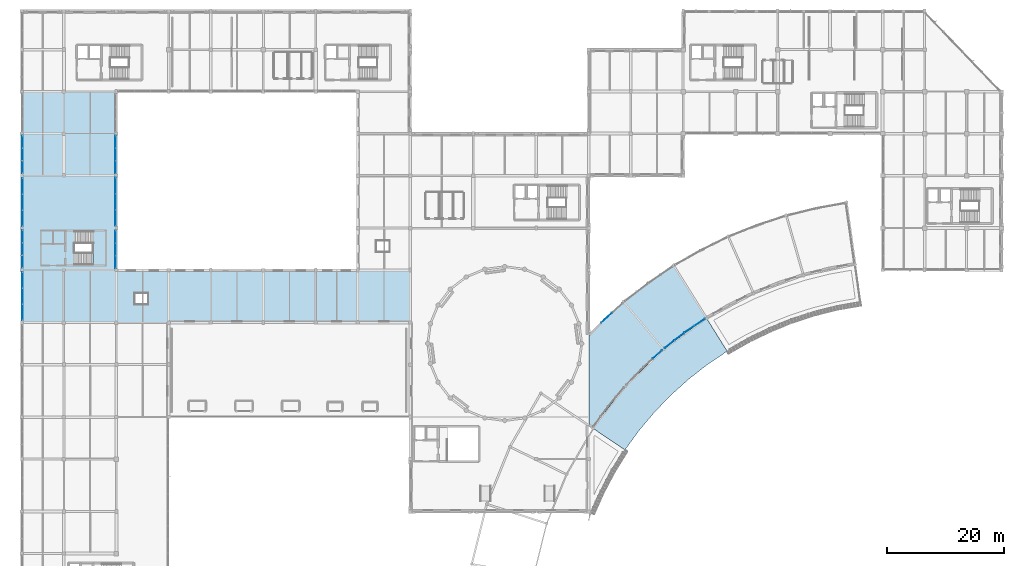
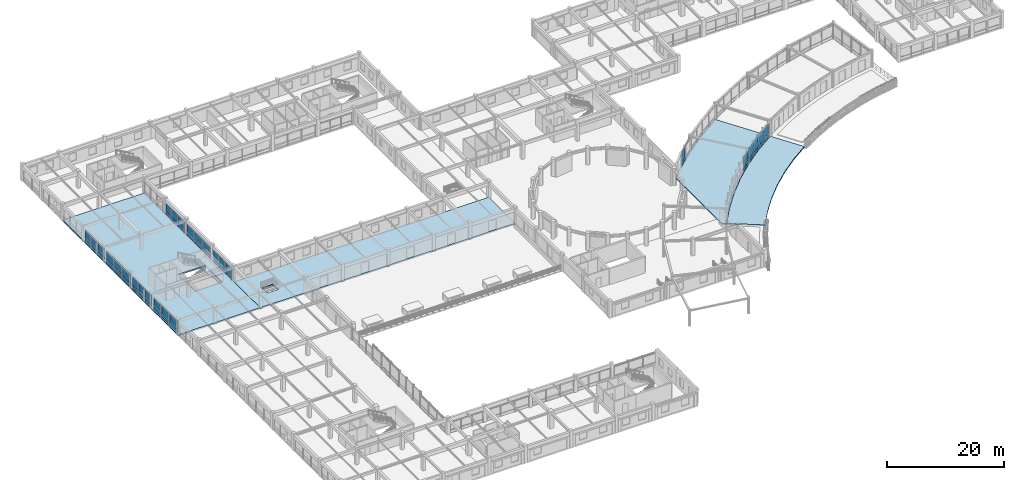
# One storey, part 44 of 74: 54 plates, 5 slabs, 12 elements without a shape of their own.
"""IFC4 building model written with IfcOpenShell, lengths in metres."""

from ifc_helpers import new_model, si_unit, direction, frame, frame_2d, origin, place, context, subcontext, project, spatial, polyline, rectangle, outline, extrude, material, layer, layer_set, type_object, element, aggregate, save


model = new_model("IFC4")

# Units and contexts
model_context = context("Model", 3, precision=1e-05, world=origin(), true_north=direction((0.0, 1.0)))
body_context = subcontext(model_context, "Body", "Model", "MODEL_VIEW")
ifc_project = project(units=[si_unit("LENGTHUNIT", "METRE"), si_unit("AREAUNIT", "SQUARE_METRE"), si_unit("VOLUMEUNIT", "CUBIC_METRE"), si_unit("PLANEANGLEUNIT", "RADIAN"), si_unit("MASSUNIT", "GRAM", prefix="KILO")], contexts=[model_context])

# Site, building, storey
site_placement = place(None, origin())
site = spatial("IfcSite", under=ifc_project, at=site_placement, CompositionType="ELEMENT")
building_placement = place(site_placement, origin())
building = spatial("IfcBuilding", under=site, at=building_placement, Name="Clarverna Civic Hall", CompositionType="ELEMENT")
storey_placement = place(building_placement, frame((0.0, 0.0, 9.60009765625)))
storey = spatial("IfcBuildingStorey", under=building, at=storey_placement, Name="L02", CompositionType="ELEMENT", Elevation=9.60009765625)

# Curtain wall, plates
ifc_material_1 = material(Name="Anodised Bronze Architectural Aluminium", Category="aluminium")
curtain_wall_type_1 = type_object("IfcCurtainWallType", Name="CW-01", PredefinedType="USERDEFINED", material=ifc_material_1)
curtain_wall_1_placement = place(storey_placement, origin())
curtain_wall_1 = element("IfcCurtainWall", 1, at=curtain_wall_1_placement, inside=storey, type_object=curtain_wall_type_1, Name="CW-01-023", ObjectType="UNITISED CURTAIN WALL", PredefinedType="USERDEFINED")
ifc_material_2 = material(Name="Solar-Control Argon Low-E Double Glazing", Category="glass")
ifc_layer_1 = layer(ifc_material_2, 0.031982421875)
ifc_layer_set_1 = layer_set([ifc_layer_1], Name="Solar-Control Argon Low-E Double Glazing")
plate_type_1 = type_object("IfcPlateType", Name="CWP-01", PredefinedType="CURTAIN_PANEL", material=ifc_layer_set_1)
plate_1_placement = place(storey_placement, frame((0.139892578125, 63.0380859375, 0.764892578125), z_axis=(0.0, 0.0, 1.0), x_axis=(0.0, 1.0, 0.0)))
plate_1 = element("IfcPlate", 2, at=plate_1_placement, type_object=plate_type_1, Name="CWP-01-224", PredefinedType="CURTAIN_PANEL", context=body_context, shape_type="SweptSolid", body=[
    extrude(rectangle(XDim=2.70458984375, YDim=0.031982421875, at=frame_2d((1.352294921875, 0.0))), origin(), (0.0, 0.0, 1.0), 1.764892578125),
])
plate_2_placement = place(storey_placement, frame((0.139892578125, 65.772705078125, 0.764892578125), z_axis=(0.0, 0.0, 1.0), x_axis=(0.0, 1.0, 0.0)))
plate_2 = element("IfcPlate", 3, at=plate_2_placement, type_object=plate_type_1, Name="CWP-01-225", PredefinedType="CURTAIN_PANEL", context=body_context, shape_type="SweptSolid", body=[
    extrude(rectangle(XDim=2.70458984375, YDim=0.031982421875, at=frame_2d((1.352294921875, 0.0))), origin(), (0.0, 0.0, 1.0), 1.764892578125),
])
plate_3_placement = place(storey_placement, frame((0.139892578125, 68.50732421875, 0.764892578125), z_axis=(0.0, 0.0, 1.0), x_axis=(0.0, 1.0, 0.0)))
plate_3 = element("IfcPlate", 4, at=plate_3_placement, type_object=plate_type_1, Name="CWP-01-226", PredefinedType="CURTAIN_PANEL", context=body_context, shape_type="SweptSolid", body=[
    extrude(rectangle(XDim=2.70458984375, YDim=0.031982421875, at=frame_2d((1.352294921875, 0.0))), origin(), (0.0, 0.0, 1.0), 1.764892578125),
])

curtain_wall_2_placement = place(storey_placement, origin())
curtain_wall_2 = element("IfcCurtainWall", 5, at=curtain_wall_2_placement, inside=storey, type_object=curtain_wall_type_1, Name="CW-01-024", ObjectType="UNITISED CURTAIN WALL", PredefinedType="USERDEFINED")
plate_4_placement = place(storey_placement, frame((0.139892578125, 71.988037109375, 0.764892578125), z_axis=(0.0, 0.0, 1.0), x_axis=(0.0, 1.0, 0.0)))
plate_4 = element("IfcPlate", 6, at=plate_4_placement, type_object=plate_type_1, Name="CWP-01-227", PredefinedType="CURTAIN_PANEL", context=body_context, shape_type="SweptSolid", body=[
    extrude(rectangle(XDim=2.129638671875, YDim=0.031982421875, at=frame_2d((1.06494140625, 0.0))), origin(), (0.0, 0.0, 1.0), 1.72509765625),
])
plate_5_placement = place(storey_placement, frame((0.139892578125, 74.147705078125, 0.764892578125), z_axis=(0.0, 0.0, 1.0), x_axis=(0.0, 1.0, 0.0)))
plate_5 = element("IfcPlate", 7, at=plate_5_placement, type_object=plate_type_1, Name="CWP-01-228", PredefinedType="CURTAIN_PANEL", context=body_context, shape_type="SweptSolid", body=[
    extrude(rectangle(XDim=2.129638671875, YDim=0.031982421875, at=frame_2d((1.06494140625, 0.0))), origin(), (0.0, 0.0, 1.0), 1.72509765625),
])
plate_6_placement = place(storey_placement, frame((0.139892578125, 76.307373046875, 0.764892578125), z_axis=(0.0, 0.0, 1.0), x_axis=(0.0, 1.0, 0.0)))
plate_6 = element("IfcPlate", 8, at=plate_6_placement, type_object=plate_type_1, Name="CWP-01-229", PredefinedType="CURTAIN_PANEL", context=body_context, shape_type="SweptSolid", body=[
    extrude(rectangle(XDim=2.129638671875, YDim=0.031982421875, at=frame_2d((1.06494140625, 0.0))), origin(), (0.0, 0.0, 1.0), 1.72509765625),
])

curtain_wall_3_placement = place(storey_placement, origin())
curtain_wall_3 = element("IfcCurtainWall", 9, at=curtain_wall_3_placement, inside=storey, type_object=curtain_wall_type_1, Name="CW-01-025", ObjectType="UNITISED CURTAIN WALL", PredefinedType="USERDEFINED")
plate_7_placement = place(storey_placement, frame((0.139892578125, 79.1630859375, 0.764892578125), z_axis=(0.0, 0.0, 1.0), x_axis=(0.0, 1.0, 0.0)))
plate_7 = element("IfcPlate", 10, at=plate_7_placement, type_object=plate_type_1, Name="CWP-01-230", PredefinedType="CURTAIN_PANEL", context=body_context, shape_type="SweptSolid", body=[
    extrude(rectangle(XDim=2.712890625, YDim=0.031982421875, at=frame_2d((1.3564453125, 0.0))), origin(), (0.0, 0.0, 1.0), 1.72509765625),
])
plate_8_placement = place(storey_placement, frame((0.139892578125, 81.906005859375, 0.764892578125), z_axis=(0.0, 0.0, 1.0), x_axis=(0.0, 1.0, 0.0)))
plate_8 = element("IfcPlate", 11, at=plate_8_placement, type_object=plate_type_1, Name="CWP-01-231", PredefinedType="CURTAIN_PANEL", context=body_context, shape_type="SweptSolid", body=[
    extrude(rectangle(XDim=2.712890625, YDim=0.031982421875, at=frame_2d((1.3564453125, 0.0))), origin(), (0.0, 0.0, 1.0), 1.72509765625),
])
plate_9_placement = place(storey_placement, frame((0.139892578125, 84.64892578125, 0.764892578125), z_axis=(0.0, 0.0, 1.0), x_axis=(0.0, 1.0, 0.0)))
plate_9 = element("IfcPlate", 12, at=plate_9_placement, type_object=plate_type_1, Name="CWP-01-232", PredefinedType="CURTAIN_PANEL", context=body_context, shape_type="SweptSolid", body=[
    extrude(rectangle(XDim=2.713134765625, YDim=0.031982421875, at=frame_2d((1.3564453125, 0.0))), origin(), (0.0, 0.0, 1.0), 1.72509765625),
])

curtain_wall_4_placement = place(storey_placement, origin())
curtain_wall_4 = element("IfcCurtainWall", 13, at=curtain_wall_4_placement, inside=storey, type_object=curtain_wall_type_1, Name="CW-01-026", ObjectType="UNITISED CURTAIN WALL", PredefinedType="USERDEFINED")
plate_10_placement = place(storey_placement, frame((0.139892578125, 88.238037109375, 0.764892578125), z_axis=(0.0, 0.0, 1.0), x_axis=(0.0, 1.0, 0.0)))
plate_10 = element("IfcPlate", 14, at=plate_10_placement, type_object=plate_type_1, Name="CWP-01-233", PredefinedType="CURTAIN_PANEL", context=body_context, shape_type="SweptSolid", body=[
    extrude(rectangle(XDim=2.104736328125, YDim=0.031982421875, at=frame_2d((1.05224609375, 0.0))), origin(), (0.0, 0.0, 1.0), 1.72509765625),
])
plate_11_placement = place(storey_placement, frame((0.139892578125, 90.372802734375, 0.764892578125), z_axis=(0.0, 0.0, 1.0), x_axis=(0.0, 1.0, 0.0)))
plate_11 = element("IfcPlate", 15, at=plate_11_placement, type_object=plate_type_1, Name="CWP-01-234", PredefinedType="CURTAIN_PANEL", context=body_context, shape_type="SweptSolid", body=[
    extrude(rectangle(XDim=2.1044921875, YDim=0.031982421875, at=frame_2d((1.05224609375, 0.0))), origin(), (0.0, 0.0, 1.0), 1.72509765625),
])
plate_12_placement = place(storey_placement, frame((0.139892578125, 92.50732421875, 0.764892578125), z_axis=(0.0, 0.0, 1.0), x_axis=(0.0, 1.0, 0.0)))
plate_12 = element("IfcPlate", 16, at=plate_12_placement, type_object=plate_type_1, Name="CWP-01-235", PredefinedType="CURTAIN_PANEL", context=body_context, shape_type="SweptSolid", body=[
    extrude(rectangle(XDim=2.104736328125, YDim=0.031982421875, at=frame_2d((1.05224609375, 0.0))), origin(), (0.0, 0.0, 1.0), 1.72509765625),
])

# Curtain wall, plate
curtain_wall_type_2 = type_object("IfcCurtainWallType", Name="CW-03", PredefinedType="USERDEFINED", material=ifc_material_1)
curtain_wall_5_placement = place(storey_placement, origin())
curtain_wall_5 = element("IfcCurtainWall", 17, at=curtain_wall_5_placement, inside=storey, type_object=curtain_wall_type_2, Name="CW-03-048", ObjectType="UNITISED CURTAIN WALL", PredefinedType="USERDEFINED")
plate_13_placement = place(storey_placement, frame((99.335205078125, 62.597900390625, 0.764892578125), z_axis=(0.0, 0.0, 1.0), x_axis=(0.743150461757, 0.669124346583, 0.0)))
plate_13 = element("IfcPlate", 18, at=plate_13_placement, type_object=plate_type_1, Name="CWP-01-301", PredefinedType="CURTAIN_PANEL", context=body_context, shape_type="SweptSolid", body=[
    extrude(rectangle(XDim=2.450439453125, YDim=0.031982421875, at=frame_2d((1.22509765625, 0.0))), origin(), (0.0, 0.0, 1.0), 2.155029296875),
])

# Curtain wall, plates
curtain_wall_6_placement = place(storey_placement, origin())
curtain_wall_6 = element("IfcCurtainWall", 19, at=curtain_wall_6_placement, inside=storey, type_object=curtain_wall_type_2, Name="CW-03-059", ObjectType="UNITISED CURTAIN WALL", PredefinedType="USERDEFINED")
plate_14_placement = place(storey_placement, frame((117.119384765625, 63.239013671875, 0.764892578125), z_axis=(0.0, 0.0, 1.0), x_axis=(-0.829083492219, -0.559124818739, 0.0)))
plate_14 = element("IfcPlate", 20, at=plate_14_placement, type_object=plate_type_1, Name="CWP-01-323", PredefinedType="CURTAIN_PANEL", context=body_context, shape_type="SweptSolid", body=[
    extrude(rectangle(XDim=2.08447265625, YDim=0.031982421875, at=frame_2d((1.042236328125, 0.0))), origin(), (0.0, 0.0, 1.0), 2.175048828125),
])
plate_15_placement = place(storey_placement, frame((115.3662109375, 62.056640625, 0.764892578125), z_axis=(0.0, 0.0, 1.0), x_axis=(-0.829029200172, -0.559205315839, 0.0)))
plate_15 = element("IfcPlate", 21, at=plate_15_placement, type_object=plate_type_1, Name="CWP-01-324", PredefinedType="CURTAIN_PANEL", context=body_context, shape_type="SweptSolid", body=[
    extrude(rectangle(XDim=2.084716796875, YDim=0.031982421875, at=frame_2d((1.04248046875, 0.0))), origin(), (0.0, 0.0, 1.0), 2.175048828125),
])

curtain_wall_7_placement = place(storey_placement, origin())
curtain_wall_7 = element("IfcCurtainWall", 22, at=curtain_wall_7_placement, inside=storey, type_object=curtain_wall_type_2, Name="CW-03-060", ObjectType="UNITISED CURTAIN WALL", PredefinedType="USERDEFINED")
plate_16_placement = place(storey_placement, frame((113.552490234375, 60.82861328125, 0.764892578125), z_axis=(0.0, 0.0, 1.0), x_axis=(-0.788065564503, -0.61559131414, 0.0)))
plate_16 = element("IfcPlate", 23, at=plate_16_placement, type_object=plate_type_1, Name="CWP-01-325", PredefinedType="CURTAIN_PANEL", context=body_context, shape_type="SweptSolid", body=[
    extrude(rectangle(XDim=2.066650390625, YDim=0.031982421875, at=frame_2d((1.033203125, 0.0))), origin(), (0.0, 0.0, 1.0), 2.175048828125),
])
plate_17_placement = place(storey_placement, frame((111.900390625, 59.537841796875, 0.764892578125), z_axis=(0.0, 0.0, 1.0), x_axis=(-0.788065564503, -0.61559131414, 0.0)))
plate_17 = element("IfcPlate", 24, at=plate_17_placement, type_object=plate_type_1, Name="CWP-01-326", PredefinedType="CURTAIN_PANEL", context=body_context, shape_type="SweptSolid", body=[
    extrude(rectangle(XDim=2.066650390625, YDim=0.031982421875, at=frame_2d((1.033203125, 0.0))), origin(), (0.0, 0.0, 1.0), 2.175048828125),
])

# Curtain wall, plate
curtain_wall_8_placement = place(storey_placement, origin())
curtain_wall_8 = element("IfcCurtainWall", 25, at=curtain_wall_8_placement, inside=storey, type_object=curtain_wall_type_2, Name="CW-03-061", ObjectType="UNITISED CURTAIN WALL", PredefinedType="USERDEFINED")
plate_18_placement = place(storey_placement, frame((109.7646484375, 57.84130859375, 0.764892578125), z_axis=(0.0, 0.0, 1.0), x_axis=(-0.743159927566, -0.669113833409, 0.0)))
plate_18 = element("IfcPlate", 26, at=plate_18_placement, type_object=plate_type_1, Name="CWP-01-327", PredefinedType="CURTAIN_PANEL", context=body_context, shape_type="SweptSolid", body=[
    extrude(rectangle(XDim=2.08056640625, YDim=0.031982421875, at=frame_2d((1.040283203125, 0.0))), origin(), (0.0, 0.0, 1.0), 2.175048828125),
])

# Curtain wall, plates
curtain_wall_type_3 = type_object("IfcCurtainWallType", Name="CW-04", PredefinedType="USERDEFINED", material=ifc_material_1)
curtain_wall_9_placement = place(storey_placement, origin())
curtain_wall_9 = element("IfcCurtainWall", 27, at=curtain_wall_9_placement, inside=storey, type_object=curtain_wall_type_3, Name="CW-04-033", ObjectType="UNITISED CURTAIN WALL", PredefinedType="USERDEFINED")
plate_19_placement = place(storey_placement, frame((16.06005859375, 94.636962890625, 0.764892578125), z_axis=(0.0, 0.0, 1.0), x_axis=(0.0, -1.0, 0.0)))
plate_19 = element("IfcPlate", 28, at=plate_19_placement, type_object=plate_type_1, Name="CWP-01-380", PredefinedType="CURTAIN_PANEL", context=body_context, shape_type="SweptSolid", body=[
    extrude(rectangle(XDim=2.129638671875, YDim=0.031982421875, at=frame_2d((1.06494140625, 0.0))), origin(), (0.0, 0.0, 1.0), 1.72509765625),
])
plate_20_placement = place(storey_placement, frame((16.06005859375, 92.477294921875, 0.764892578125), z_axis=(0.0, 0.0, 1.0), x_axis=(0.0, -1.0, 0.0)))
plate_20 = element("IfcPlate", 29, at=plate_20_placement, type_object=plate_type_1, Name="CWP-01-381", PredefinedType="CURTAIN_PANEL", context=body_context, shape_type="SweptSolid", body=[
    extrude(rectangle(XDim=2.129638671875, YDim=0.031982421875, at=frame_2d((1.06494140625, 0.0))), origin(), (0.0, 0.0, 1.0), 1.72509765625),
])
plate_21_placement = place(storey_placement, frame((16.06005859375, 90.317626953125, 0.764892578125), z_axis=(0.0, 0.0, 1.0), x_axis=(0.0, -1.0, 0.0)))
plate_21 = element("IfcPlate", 30, at=plate_21_placement, type_object=plate_type_1, Name="CWP-01-382", PredefinedType="CURTAIN_PANEL", context=body_context, shape_type="SweptSolid", body=[
    extrude(rectangle(XDim=2.129638671875, YDim=0.031982421875, at=frame_2d((1.06494140625, 0.0))), origin(), (0.0, 0.0, 1.0), 1.72509765625),
])

curtain_wall_10_placement = place(storey_placement, origin())
curtain_wall_10 = element("IfcCurtainWall", 31, at=curtain_wall_10_placement, inside=storey, type_object=curtain_wall_type_3, Name="CW-04-034", ObjectType="UNITISED CURTAIN WALL", PredefinedType="USERDEFINED")
plate_22_placement = place(storey_placement, frame((16.06005859375, 87.412109375, 0.764892578125), z_axis=(0.0, 0.0, 1.0), x_axis=(0.0, -1.0, 0.0)))
plate_22 = element("IfcPlate", 32, at=plate_22_placement, type_object=plate_type_1, Name="CWP-01-383", PredefinedType="CURTAIN_PANEL", context=body_context, shape_type="SweptSolid", body=[
    extrude(rectangle(XDim=2.704833984375, YDim=0.031982421875, at=frame_2d((1.3525390625, 0.0))), origin(), (0.0, 0.0, 1.0), 1.72509765625),
])
plate_23_placement = place(storey_placement, frame((16.06005859375, 84.67724609375, 0.764892578125), z_axis=(0.0, 0.0, 1.0), x_axis=(0.0, -1.0, 0.0)))
plate_23 = element("IfcPlate", 33, at=plate_23_placement, type_object=plate_type_1, Name="CWP-01-384", PredefinedType="CURTAIN_PANEL", context=body_context, shape_type="SweptSolid", body=[
    extrude(rectangle(XDim=2.70458984375, YDim=0.031982421875, at=frame_2d((1.352294921875, 0.0))), origin(), (0.0, 0.0, 1.0), 1.72509765625),
])
plate_24_placement = place(storey_placement, frame((16.06005859375, 81.942626953125, 0.764892578125), z_axis=(0.0, 0.0, 1.0), x_axis=(0.0, -1.0, 0.0)))
plate_24 = element("IfcPlate", 34, at=plate_24_placement, type_object=plate_type_1, Name="CWP-01-385", PredefinedType="CURTAIN_PANEL", context=body_context, shape_type="SweptSolid", body=[
    extrude(rectangle(XDim=2.70458984375, YDim=0.031982421875, at=frame_2d((1.352294921875, 0.0))), origin(), (0.0, 0.0, 1.0), 1.72509765625),
])

curtain_wall_11_placement = place(storey_placement, origin())
curtain_wall_11 = element("IfcCurtainWall", 35, at=curtain_wall_11_placement, inside=storey, type_object=curtain_wall_type_3, Name="CW-04-035", ObjectType="UNITISED CURTAIN WALL", PredefinedType="USERDEFINED")
plate_25_placement = place(storey_placement, frame((16.06005859375, 78.362060546875, 0.764892578125), z_axis=(0.0, 0.0, 1.0), x_axis=(0.0, -1.0, 0.0)))
plate_25 = element("IfcPlate", 36, at=plate_25_placement, type_object=plate_type_1, Name="CWP-01-386", PredefinedType="CURTAIN_PANEL", context=body_context, shape_type="SweptSolid", body=[
    extrude(rectangle(XDim=2.113037109375, YDim=0.031982421875, at=frame_2d((1.056640625, 0.0))), origin(), (0.0, 0.0, 1.0), 1.794921875),
])
plate_26_placement = place(storey_placement, frame((16.06005859375, 76.218994140625, 0.764892578125), z_axis=(0.0, 0.0, 1.0), x_axis=(0.0, -1.0, 0.0)))
plate_26 = element("IfcPlate", 37, at=plate_26_placement, type_object=plate_type_1, Name="CWP-01-387", PredefinedType="CURTAIN_PANEL", context=body_context, shape_type="SweptSolid", body=[
    extrude(rectangle(XDim=2.113037109375, YDim=0.031982421875, at=frame_2d((1.056640625, 0.0))), origin(), (0.0, 0.0, 1.0), 1.794921875),
])
plate_27_placement = place(storey_placement, frame((16.06005859375, 74.075927734375, 0.764892578125), z_axis=(0.0, 0.0, 1.0), x_axis=(0.0, -1.0, 0.0)))
plate_27 = element("IfcPlate", 38, at=plate_27_placement, type_object=plate_type_1, Name="CWP-01-388", PredefinedType="CURTAIN_PANEL", context=body_context, shape_type="SweptSolid", body=[
    extrude(rectangle(XDim=2.113037109375, YDim=0.031982421875, at=frame_2d((1.056640625, 0.0))), origin(), (0.0, 0.0, 1.0), 1.794921875),
])

# Plate
ifc_material_3 = material(Name="Insulated Anodised Bronze Spandrel Panel", Category="aluminium")
ifc_layer_2 = layer(ifc_material_3, 0.048095703125)
ifc_layer_set_2 = layer_set([ifc_layer_2], Name="Insulated Anodised Bronze Spandrel Panel")
plate_type_2 = type_object("IfcPlateType", Name="CWP-03", PredefinedType="CURTAIN_PANEL", material=ifc_layer_set_2)
plate_28_placement = place(storey_placement, frame((0.139892578125, 63.0380859375, 0.10986328125), z_axis=(0.0, 0.0, 1.0), x_axis=(0.0, 1.0, 0.0)))
plate_28 = element("IfcPlate", 39, at=plate_28_placement, type_object=plate_type_2, Name="CWP-03-226", PredefinedType="CURTAIN_PANEL", context=body_context, shape_type="SweptSolid", body=[
    extrude(rectangle(XDim=2.70458984375, YDim=0.048095703125, at=frame_2d((1.352294921875, 0.0))), origin(), (0.0, 0.0, 1.0), 0.625),
])

plate_29_placement = place(storey_placement, frame((0.139892578125, 65.772705078125, 0.10986328125), z_axis=(0.0, 0.0, 1.0), x_axis=(0.0, 1.0, 0.0)))
plate_29 = element("IfcPlate", 40, at=plate_29_placement, type_object=plate_type_2, Name="CWP-03-227", PredefinedType="CURTAIN_PANEL", context=body_context, shape_type="SweptSolid", body=[
    extrude(rectangle(XDim=2.70458984375, YDim=0.048095703125, at=frame_2d((1.352294921875, 0.0))), origin(), (0.0, 0.0, 1.0), 0.625),
])

plate_30_placement = place(storey_placement, frame((0.139892578125, 68.50732421875, 0.10986328125), z_axis=(0.0, 0.0, 1.0), x_axis=(0.0, 1.0, 0.0)))
plate_30 = element("IfcPlate", 41, at=plate_30_placement, type_object=plate_type_2, Name="CWP-03-228", PredefinedType="CURTAIN_PANEL", context=body_context, shape_type="SweptSolid", body=[
    extrude(rectangle(XDim=2.70458984375, YDim=0.048095703125, at=frame_2d((1.352294921875, 0.0))), origin(), (0.0, 0.0, 1.0), 0.625),
])

aggregate(curtain_wall_1, [plate_28, plate_1, plate_29, plate_2, plate_30, plate_3])

plate_31_placement = place(storey_placement, frame((0.139892578125, 71.988037109375, 0.10986328125), z_axis=(0.0, 0.0, 1.0), x_axis=(0.0, 1.0, 0.0)))
plate_31 = element("IfcPlate", 42, at=plate_31_placement, type_object=plate_type_2, Name="CWP-03-229", PredefinedType="CURTAIN_PANEL", context=body_context, shape_type="SweptSolid", body=[
    extrude(rectangle(XDim=2.129638671875, YDim=0.048095703125, at=frame_2d((1.06494140625, 0.0))), origin(), (0.0, 0.0, 1.0), 0.625),
])

plate_32_placement = place(storey_placement, frame((0.139892578125, 74.147705078125, 0.10986328125), z_axis=(0.0, 0.0, 1.0), x_axis=(0.0, 1.0, 0.0)))
plate_32 = element("IfcPlate", 43, at=plate_32_placement, type_object=plate_type_2, Name="CWP-03-230", PredefinedType="CURTAIN_PANEL", context=body_context, shape_type="SweptSolid", body=[
    extrude(rectangle(XDim=2.129638671875, YDim=0.048095703125, at=frame_2d((1.06494140625, 0.0))), origin(), (0.0, 0.0, 1.0), 0.625),
])

plate_33_placement = place(storey_placement, frame((0.139892578125, 76.307373046875, 0.10986328125), z_axis=(0.0, 0.0, 1.0), x_axis=(0.0, 1.0, 0.0)))
plate_33 = element("IfcPlate", 44, at=plate_33_placement, type_object=plate_type_2, Name="CWP-03-231", PredefinedType="CURTAIN_PANEL", context=body_context, shape_type="SweptSolid", body=[
    extrude(rectangle(XDim=2.129638671875, YDim=0.048095703125, at=frame_2d((1.06494140625, 0.0))), origin(), (0.0, 0.0, 1.0), 0.625),
])

aggregate(curtain_wall_2, [plate_31, plate_4, plate_32, plate_5, plate_33, plate_6])

plate_34_placement = place(storey_placement, frame((0.139892578125, 79.1630859375, 0.10986328125), z_axis=(0.0, 0.0, 1.0), x_axis=(0.0, 1.0, 0.0)))
plate_34 = element("IfcPlate", 45, at=plate_34_placement, type_object=plate_type_2, Name="CWP-03-232", PredefinedType="CURTAIN_PANEL", context=body_context, shape_type="SweptSolid", body=[
    extrude(rectangle(XDim=2.712890625, YDim=0.048095703125, at=frame_2d((1.3564453125, 0.0))), origin(), (0.0, 0.0, 1.0), 0.625),
])

plate_35_placement = place(storey_placement, frame((0.139892578125, 81.906005859375, 0.10986328125), z_axis=(0.0, 0.0, 1.0), x_axis=(0.0, 1.0, 0.0)))
plate_35 = element("IfcPlate", 46, at=plate_35_placement, type_object=plate_type_2, Name="CWP-03-233", PredefinedType="CURTAIN_PANEL", context=body_context, shape_type="SweptSolid", body=[
    extrude(rectangle(XDim=2.712890625, YDim=0.048095703125, at=frame_2d((1.3564453125, 0.0))), origin(), (0.0, 0.0, 1.0), 0.625),
])

plate_36_placement = place(storey_placement, frame((0.139892578125, 84.64892578125, 0.10986328125), z_axis=(0.0, 0.0, 1.0), x_axis=(0.0, 1.0, 0.0)))
plate_36 = element("IfcPlate", 47, at=plate_36_placement, type_object=plate_type_2, Name="CWP-03-234", PredefinedType="CURTAIN_PANEL", context=body_context, shape_type="SweptSolid", body=[
    extrude(rectangle(XDim=2.713134765625, YDim=0.048095703125, at=frame_2d((1.3564453125, 0.0))), origin(), (0.0, 0.0, 1.0), 0.625),
])

aggregate(curtain_wall_3, [plate_34, plate_7, plate_35, plate_8, plate_36, plate_9])

plate_37_placement = place(storey_placement, frame((0.139892578125, 88.238037109375, 0.10986328125), z_axis=(0.0, 0.0, 1.0), x_axis=(0.0, 1.0, 0.0)))
plate_37 = element("IfcPlate", 48, at=plate_37_placement, type_object=plate_type_2, Name="CWP-03-235", PredefinedType="CURTAIN_PANEL", context=body_context, shape_type="SweptSolid", body=[
    extrude(rectangle(XDim=2.104736328125, YDim=0.048095703125, at=frame_2d((1.05224609375, 0.0))), origin(), (0.0, 0.0, 1.0), 0.625),
])

plate_38_placement = place(storey_placement, frame((0.139892578125, 90.372802734375, 0.10986328125), z_axis=(0.0, 0.0, 1.0), x_axis=(0.0, 1.0, 0.0)))
plate_38 = element("IfcPlate", 49, at=plate_38_placement, type_object=plate_type_2, Name="CWP-03-236", PredefinedType="CURTAIN_PANEL", context=body_context, shape_type="SweptSolid", body=[
    extrude(rectangle(XDim=2.1044921875, YDim=0.048095703125, at=frame_2d((1.05224609375, 0.0))), origin(), (0.0, 0.0, 1.0), 0.625),
])

plate_39_placement = place(storey_placement, frame((0.139892578125, 92.50732421875, 0.10986328125), z_axis=(0.0, 0.0, 1.0), x_axis=(0.0, 1.0, 0.0)))
plate_39 = element("IfcPlate", 50, at=plate_39_placement, type_object=plate_type_2, Name="CWP-03-237", PredefinedType="CURTAIN_PANEL", context=body_context, shape_type="SweptSolid", body=[
    extrude(rectangle(XDim=2.104736328125, YDim=0.048095703125, at=frame_2d((1.05224609375, 0.0))), origin(), (0.0, 0.0, 1.0), 0.625),
])

aggregate(curtain_wall_4, [plate_37, plate_10, plate_38, plate_11, plate_39, plate_12])

plate_40_placement = place(storey_placement, frame((99.335205078125, 62.597900390625, 0.10986328125), z_axis=(0.0, 0.0, 1.0), x_axis=(0.743150461757, 0.669124346583, 0.0)))
plate_40 = element("IfcPlate", 51, at=plate_40_placement, type_object=plate_type_2, Name="CWP-03-303", PredefinedType="CURTAIN_PANEL", context=body_context, shape_type="SweptSolid", body=[
    extrude(rectangle(XDim=2.450439453125, YDim=0.048095703125, at=frame_2d((1.22509765625, 0.0))), origin(), (0.0, 0.0, 1.0), 0.625),
])

aggregate(curtain_wall_5, [plate_40, plate_13])

plate_41_placement = place(storey_placement, frame((117.119384765625, 63.239013671875, 0.10986328125), z_axis=(0.0, 0.0, 1.0), x_axis=(-0.829083492219, -0.559124818739, 0.0)))
plate_41 = element("IfcPlate", 52, at=plate_41_placement, type_object=plate_type_2, Name="CWP-03-325", PredefinedType="CURTAIN_PANEL", context=body_context, shape_type="SweptSolid", body=[
    extrude(rectangle(XDim=2.08447265625, YDim=0.048095703125, at=frame_2d((1.042236328125, 0.0))), origin(), (0.0, 0.0, 1.0), 0.625),
])

plate_42_placement = place(storey_placement, frame((115.3662109375, 62.056640625, 0.10986328125), z_axis=(0.0, 0.0, 1.0), x_axis=(-0.829029200172, -0.559205315839, 0.0)))
plate_42 = element("IfcPlate", 53, at=plate_42_placement, type_object=plate_type_2, Name="CWP-03-326", PredefinedType="CURTAIN_PANEL", context=body_context, shape_type="SweptSolid", body=[
    extrude(rectangle(XDim=2.084716796875, YDim=0.048095703125, at=frame_2d((1.04248046875, 0.0))), origin(), (0.0, 0.0, 1.0), 0.625),
])

aggregate(curtain_wall_6, [plate_41, plate_14, plate_42, plate_15])

plate_43_placement = place(storey_placement, frame((113.552490234375, 60.82861328125, 0.10986328125), z_axis=(0.0, 0.0, 1.0), x_axis=(-0.788065564503, -0.61559131414, 0.0)))
plate_43 = element("IfcPlate", 54, at=plate_43_placement, type_object=plate_type_2, Name="CWP-03-327", PredefinedType="CURTAIN_PANEL", context=body_context, shape_type="SweptSolid", body=[
    extrude(rectangle(XDim=2.066650390625, YDim=0.048095703125, at=frame_2d((1.033203125, 0.0))), origin(), (0.0, 0.0, 1.0), 0.625),
])

plate_44_placement = place(storey_placement, frame((111.900390625, 59.537841796875, 0.10986328125), z_axis=(0.0, 0.0, 1.0), x_axis=(-0.788065564503, -0.61559131414, 0.0)))
plate_44 = element("IfcPlate", 55, at=plate_44_placement, type_object=plate_type_2, Name="CWP-03-328", PredefinedType="CURTAIN_PANEL", context=body_context, shape_type="SweptSolid", body=[
    extrude(rectangle(XDim=2.066650390625, YDim=0.048095703125, at=frame_2d((1.033203125, 0.0))), origin(), (0.0, 0.0, 1.0), 0.625),
])

aggregate(curtain_wall_7, [plate_43, plate_16, plate_44, plate_17])

plate_45_placement = place(storey_placement, frame((109.7646484375, 57.84130859375, 0.10986328125), z_axis=(0.0, 0.0, 1.0), x_axis=(-0.743159927566, -0.669113833409, 0.0)))
plate_45 = element("IfcPlate", 56, at=plate_45_placement, type_object=plate_type_2, Name="CWP-03-329", PredefinedType="CURTAIN_PANEL", context=body_context, shape_type="SweptSolid", body=[
    extrude(rectangle(XDim=2.08056640625, YDim=0.048095703125, at=frame_2d((1.040283203125, 0.0))), origin(), (0.0, 0.0, 1.0), 0.625),
])

aggregate(curtain_wall_8, [plate_45, plate_18])

plate_46_placement = place(storey_placement, frame((16.06005859375, 94.636962890625, 0.10986328125), z_axis=(0.0, 0.0, 1.0), x_axis=(0.0, -1.0, 0.0)))
plate_46 = element("IfcPlate", 57, at=plate_46_placement, type_object=plate_type_2, Name="CWP-03-382", PredefinedType="CURTAIN_PANEL", context=body_context, shape_type="SweptSolid", body=[
    extrude(rectangle(XDim=2.129638671875, YDim=0.048095703125, at=frame_2d((1.06494140625, 0.0))), origin(), (0.0, 0.0, 1.0), 0.625),
])

plate_47_placement = place(storey_placement, frame((16.06005859375, 92.477294921875, 0.10986328125), z_axis=(0.0, 0.0, 1.0), x_axis=(0.0, -1.0, 0.0)))
plate_47 = element("IfcPlate", 58, at=plate_47_placement, type_object=plate_type_2, Name="CWP-03-383", PredefinedType="CURTAIN_PANEL", context=body_context, shape_type="SweptSolid", body=[
    extrude(rectangle(XDim=2.129638671875, YDim=0.048095703125, at=frame_2d((1.06494140625, 0.0))), origin(), (0.0, 0.0, 1.0), 0.625),
])

plate_48_placement = place(storey_placement, frame((16.06005859375, 90.317626953125, 0.10986328125), z_axis=(0.0, 0.0, 1.0), x_axis=(0.0, -1.0, 0.0)))
plate_48 = element("IfcPlate", 59, at=plate_48_placement, type_object=plate_type_2, Name="CWP-03-384", PredefinedType="CURTAIN_PANEL", context=body_context, shape_type="SweptSolid", body=[
    extrude(rectangle(XDim=2.129638671875, YDim=0.048095703125, at=frame_2d((1.06494140625, 0.0))), origin(), (0.0, 0.0, 1.0), 0.625),
])

aggregate(curtain_wall_9, [plate_46, plate_19, plate_47, plate_20, plate_48, plate_21])

plate_49_placement = place(storey_placement, frame((16.06005859375, 87.412109375, 0.10986328125), z_axis=(0.0, 0.0, 1.0), x_axis=(0.0, -1.0, 0.0)))
plate_49 = element("IfcPlate", 60, at=plate_49_placement, type_object=plate_type_2, Name="CWP-03-385", PredefinedType="CURTAIN_PANEL", context=body_context, shape_type="SweptSolid", body=[
    extrude(rectangle(XDim=2.704833984375, YDim=0.048095703125, at=frame_2d((1.3525390625, 0.0))), origin(), (0.0, 0.0, 1.0), 0.625),
])

plate_50_placement = place(storey_placement, frame((16.06005859375, 84.67724609375, 0.10986328125), z_axis=(0.0, 0.0, 1.0), x_axis=(0.0, -1.0, 0.0)))
plate_50 = element("IfcPlate", 61, at=plate_50_placement, type_object=plate_type_2, Name="CWP-03-386", PredefinedType="CURTAIN_PANEL", context=body_context, shape_type="SweptSolid", body=[
    extrude(rectangle(XDim=2.70458984375, YDim=0.048095703125, at=frame_2d((1.352294921875, 0.0))), origin(), (0.0, 0.0, 1.0), 0.625),
])

plate_51_placement = place(storey_placement, frame((16.06005859375, 81.942626953125, 0.10986328125), z_axis=(0.0, 0.0, 1.0), x_axis=(0.0, -1.0, 0.0)))
plate_51 = element("IfcPlate", 62, at=plate_51_placement, type_object=plate_type_2, Name="CWP-03-387", PredefinedType="CURTAIN_PANEL", context=body_context, shape_type="SweptSolid", body=[
    extrude(rectangle(XDim=2.70458984375, YDim=0.048095703125, at=frame_2d((1.352294921875, 0.0))), origin(), (0.0, 0.0, 1.0), 0.625),
])

aggregate(curtain_wall_10, [plate_49, plate_22, plate_50, plate_23, plate_51, plate_24])

plate_52_placement = place(storey_placement, frame((16.06005859375, 78.362060546875, 0.10986328125), z_axis=(0.0, 0.0, 1.0), x_axis=(0.0, -1.0, 0.0)))
plate_52 = element("IfcPlate", 63, at=plate_52_placement, type_object=plate_type_2, Name="CWP-03-388", PredefinedType="CURTAIN_PANEL", context=body_context, shape_type="SweptSolid", body=[
    extrude(rectangle(XDim=2.113037109375, YDim=0.048095703125, at=frame_2d((1.056640625, 0.0))), origin(), (0.0, 0.0, 1.0), 0.625),
])

plate_53_placement = place(storey_placement, frame((16.06005859375, 76.218994140625, 0.10986328125), z_axis=(0.0, 0.0, 1.0), x_axis=(0.0, -1.0, 0.0)))
plate_53 = element("IfcPlate", 64, at=plate_53_placement, type_object=plate_type_2, Name="CWP-03-389", PredefinedType="CURTAIN_PANEL", context=body_context, shape_type="SweptSolid", body=[
    extrude(rectangle(XDim=2.113037109375, YDim=0.048095703125, at=frame_2d((1.056640625, 0.0))), origin(), (0.0, 0.0, 1.0), 0.625),
])

plate_54_placement = place(storey_placement, frame((16.06005859375, 74.075927734375, 0.10986328125), z_axis=(0.0, 0.0, 1.0), x_axis=(0.0, -1.0, 0.0)))
plate_54 = element("IfcPlate", 65, at=plate_54_placement, type_object=plate_type_2, Name="CWP-03-390", PredefinedType="CURTAIN_PANEL", context=body_context, shape_type="SweptSolid", body=[
    extrude(rectangle(XDim=2.113037109375, YDim=0.048095703125, at=frame_2d((1.056640625, 0.0))), origin(), (0.0, 0.0, 1.0), 0.625),
])

aggregate(curtain_wall_11, [plate_52, plate_25, plate_53, plate_26, plate_54, plate_27])

# Slabs
ifc_material_4 = material(Name="Concrete C30/37", Category="concrete")
ifc_layer_3 = layer(ifc_material_4, 0.280029296875)
ifc_layer_set_3 = layer_set([ifc_layer_3], Name="Concrete C30/37")
slab_type_1 = type_object("IfcSlabType", Name="SL-FL4", PredefinedType="FLOOR", material=ifc_layer_set_3)
slab_1_placement = place(storey_placement, frame((0.0, 0.0, -0.280029296875)))
element("IfcSlab", 66, at=slab_1_placement, inside=storey, type_object=slab_type_1, Name="SL-FL4-008", PredefinedType="FLOOR", context=body_context, shape_type="SweptSolid", body=[
    extrude(outline(polyline([(110.090087890625, 57.946044921875), (113.676513671875, 60.747802734375), (117.44921875, 63.292724609375), (111.72607421875, 72.45166015625), (107.328369140625, 69.4853515625), (103.148193359375, 66.219482421875), (99.2060546875, 62.669921875), (97.22509765625, 60.618408203125), (97.22509765625, 44.9462890625), (97.94677734375, 44.45947265625), (100.62158203125, 48.14111328125), (103.547119140625, 51.627197265625), (106.708251953125, 54.90087890625), (110.090087890625, 57.946044921875)])), origin(), (0.0, 0.0, 1.0), 0.280029296875),
])
slab_2_placement = place(storey_placement, frame((0.0, 0.0, -0.280029296875)))
element("IfcSlab", 67, at=slab_2_placement, inside=storey, type_object=slab_type_1, Name="SL-FL4-011", PredefinedType="FLOOR", context=body_context, shape_type="SweptSolid", body=[
    extrude(outline(polyline([(0.0, 102.199951171875), (0.0, 62.60009765625), (16.199951171875, 62.60009765625), (16.199951171875, 102.199951171875), (0.0, 102.199951171875)]), holes=[polyline([(9.0, 72.52001953125), (14.39990234375, 72.52001953125), (14.39990234375, 78.280029296875), (9.0, 78.280029296875), (9.0, 72.52001953125)])]), origin(), (0.0, 0.0, 1.0), 0.280029296875),
])
slab_3_placement = place(storey_placement, frame((0.0, 0.0, -0.280029296875)))
element("IfcSlab", 68, at=slab_3_placement, inside=storey, type_object=slab_type_1, Name="SL-FL4-012", PredefinedType="FLOOR", context=body_context, shape_type="SweptSolid", body=[
    extrude(outline(polyline([(16.199951171875, 62.60009765625), (66.574951171875, 62.60009765625), (66.574951171875, 71.60009765625), (16.199951171875, 71.60009765625), (16.199951171875, 62.60009765625)]), holes=[polyline([(19.39990234375, 65.800048828125), (21.60009765625, 65.800048828125), (21.60009765625, 67.60009765625), (19.39990234375, 67.60009765625), (19.39990234375, 65.800048828125)])]), origin(), (0.0, 0.0, 1.0), 0.280029296875),
])

# Stair, slab
stair_type = type_object("IfcStairType", Name="ST-H1", PredefinedType="HALF_TURN_STAIR", material=ifc_material_4)
stair_placement = place(storey_placement, origin())
stair = element("IfcStair", 69, at=stair_placement, inside=storey, type_object=stair_type, Name="ST-H1:L02:0027", PredefinedType="HALF_TURN_STAIR")
ifc_layer_4 = layer(ifc_material_4, 0.199951171875)
ifc_layer_set_4 = layer_set([ifc_layer_4], Name="Concrete C30/37")
slab_type_2 = type_object("IfcSlabType", Name="SL-LD1", PredefinedType="LANDING", material=ifc_layer_set_4)
slab_4_placement = place(storey_placement, frame((0.0, 0.0, 1.599853515625)))
slab_4 = element("IfcSlab", 70, at=slab_4_placement, type_object=slab_type_2, Name="SL-LD1-052", PredefinedType="LANDING", context=body_context, shape_type="SweptSolid", body=[
    extrude(outline(polyline([(12.18994140625, 72.419921875), (14.5, 72.419921875), (14.5, 78.3798828125), (12.18994140625, 78.3798828125), (12.18994140625, 72.419921875)])), origin(), (0.0, 0.0, 1.0), 0.199951171875),
])
aggregate(stair, [slab_4])

# Slab
ifc_layer_5 = layer(ifc_material_4, 0.260009765625)
ifc_layer_set_5 = layer_set([ifc_layer_5], Name="Concrete C30/37")
slab_type_3 = type_object("IfcSlabType", Name="SL-RF1", PredefinedType="ROOF", material=ifc_layer_set_5)
slab_5_placement = place(storey_placement, frame((0.0, 0.0, -0.239990234375)))
element("IfcSlab", 71, at=slab_5_placement, inside=storey, type_object=slab_type_3, Name="SL-TR1-005", PredefinedType="ROOF", context=body_context, shape_type="SweptSolid", body=[
    extrude(outline(polyline([(114.33251953125, 52.89013671875), (117.555908203125, 55.408447265625), (120.94677734375, 57.695556640625), (117.44921875, 63.292724609375), (113.676513671875, 60.747802734375), (110.090087890625, 57.946044921875), (106.708251953125, 54.90087890625), (103.547119140625, 51.627197265625), (100.62158203125, 48.14111328125), (97.94677734375, 44.45947265625), (103.41845703125, 40.768798828125), (105.822509765625, 44.077880859375), (108.45166015625, 47.211181640625), (111.29296875, 50.1533203125), (114.33251953125, 52.89013671875)])), origin(), (0.0, 0.0, 1.0), 0.239990234375),
])

save(model, "model.ifc")
